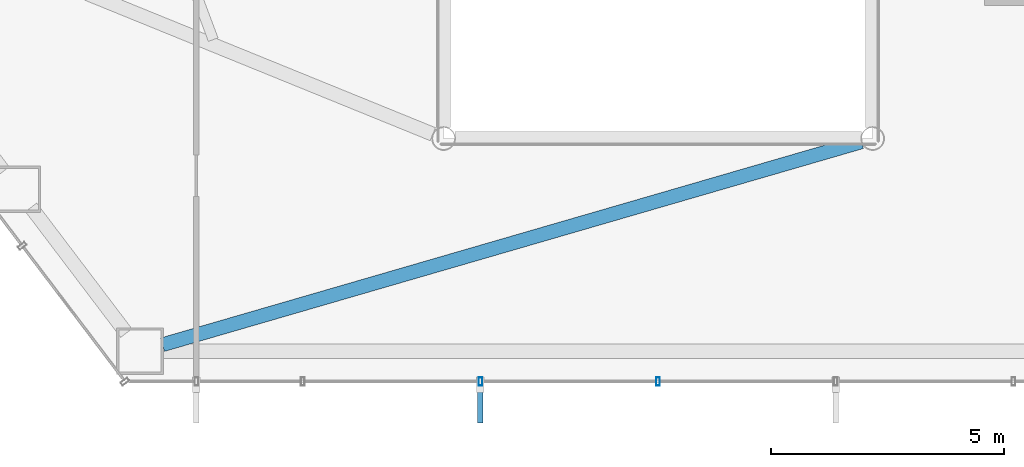
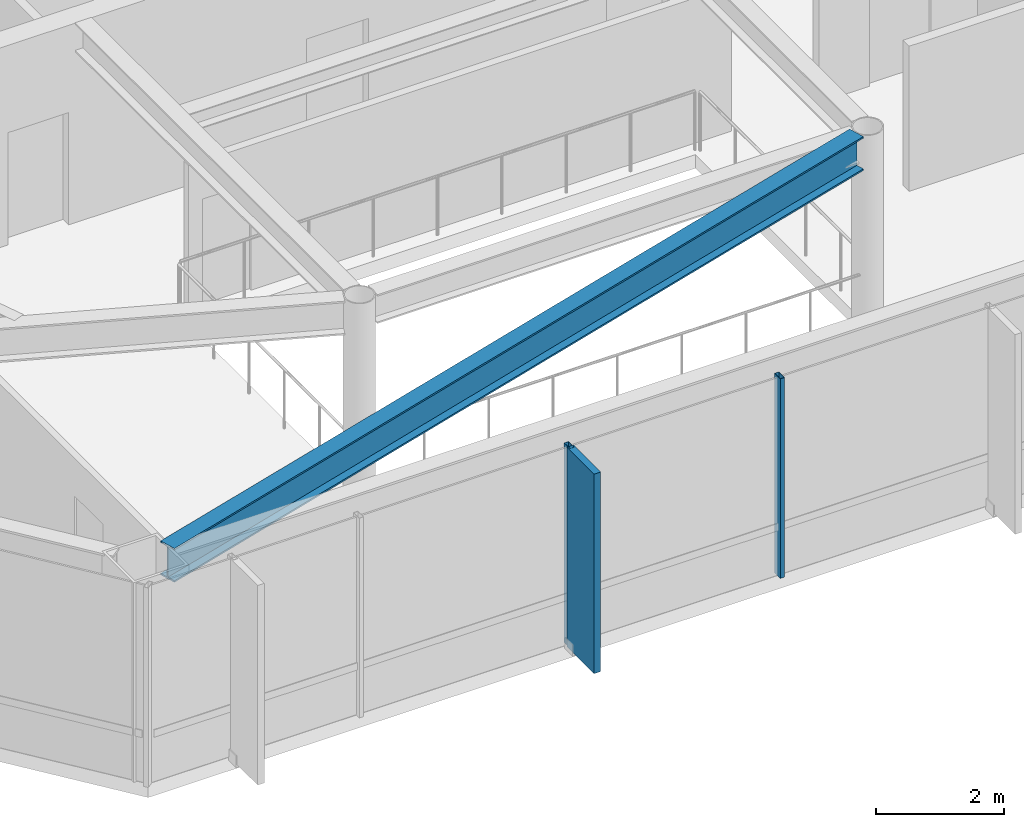
# One storey, part 5 of 26: 3 members, 1 beam, 1 element without a shape of its own.
"""IFC4 building model written with IfcOpenShell, lengths in metres."""

from ifc_helpers import new_model, si_unit, direction, frame, origin, origin_2d, place, context, subcontext, project, spatial, rectangle, hollow_rectangle, i_section, extrude, material, layer, layer_set, material_profile, profile_set, type_object, element, aggregate, save


model = new_model("IFC4")

# Units and contexts
model_context = context("Model", 3, precision=1e-05, world=origin(), true_north=direction((0.0, 1.0)))
body_context = subcontext(model_context, "Body", "Model", "MODEL_VIEW")
ifc_project = project(units=[si_unit("LENGTHUNIT", "METRE"), si_unit("AREAUNIT", "SQUARE_METRE"), si_unit("VOLUMEUNIT", "CUBIC_METRE"), si_unit("PLANEANGLEUNIT", "RADIAN"), si_unit("MASSUNIT", "GRAM", prefix="KILO")], contexts=[model_context])

# Site, building, storey
site_placement = place(None, origin())
site = spatial("IfcSite", under=ifc_project, at=site_placement, CompositionType="ELEMENT")
building_placement = place(site_placement, origin())
building = spatial("IfcBuilding", under=site, at=building_placement, Name="Zarrinselat Tower", CompositionType="ELEMENT")
storey_placement = place(building_placement, frame((0.0, 0.0, 31.6201171875)))
storey = spatial("IfcBuildingStorey", under=building, at=storey_placement, Name="L07", CompositionType="ELEMENT", Elevation=31.6201171875)

# Beam
ifc_material_1 = material(Name="Steel S355J2", Category="steel")
ifc_material_profile_1 = material_profile(ifc_material_1, i_section(OverallWidth=0.300048828125, OverallDepth=0.64990234375, WebThickness=0.01611328125, FlangeThickness=0.031005859375, at=origin_2d()), Name="HEB 650")
ifc_profile_set_1 = profile_set([ifc_material_profile_1], Name="Steel S355J2")
beam_type = type_object("IfcBeamType", Name="BM-HEB650", PredefinedType="BEAM", material=ifc_profile_set_1)
beam_placement = place(storey_placement, frame((27.773681640625, 19.980224609375, 3.494873046875), z_axis=(0.960359468461, 0.278764580494, 0.0), x_axis=(-0.278764580494, 0.960359468461, 0.0)))
element("IfcBeam", 1, at=beam_placement, inside=storey, type_object=beam_type, Name="L07 Radial Primary Girder RG10", PredefinedType="BEAM", context=body_context, shape_type="SweptSolid", body=[
    extrude(i_section(OverallWidth=0.300048828125, OverallDepth=0.64990234375, WebThickness=0.01611328125, FlangeThickness=0.031005859375, at=origin_2d()), origin(), (0.0, 0.0, 1.0), 15.60498046875),
])

# Curtain wall, members
ifc_material_2 = material(Name="Extruded Aluminium Alloy EN AW-6063 T6", Category="aluminium")
ifc_layer = layer(ifc_material_2, 0.18505859375)
ifc_layer_set = layer_set([ifc_layer], Name="Extruded Aluminium Alloy EN AW-6063 T6")
curtain_wall_type = type_object("IfcCurtainWallType", Name="CWS-OFF", PredefinedType="NOTDEFINED", material=ifc_layer_set)
curtain_wall_placement = place(storey_placement, origin())
curtain_wall = element("IfcCurtainWall", 2, at=curtain_wall_placement, inside=storey, type_object=curtain_wall_type, Name="L07 Unitised Curtain Wall CW-L07-E04", PredefinedType="NOTDEFINED")
ifc_material_3 = material(Name="Extruded Aluminium Alloy EN AW-6063 T6", Category="aluminium")
ifc_material_profile_2 = material_profile(ifc_material_3, hollow_rectangle(XDim=0.080078125, YDim=0.179931640625, WallThickness=0.0048828125, at=origin_2d()), Name="RHS 180x80x5")
ifc_profile_set_2 = profile_set([ifc_material_profile_2], Name="Extruded Aluminium Alloy EN AW-6063 T6")
member_type_1 = type_object("IfcMemberType", Name="MEM-CW-MUL", PredefinedType="MULLION", material=ifc_profile_set_2)
member_1_placement = place(storey_placement, frame((34.589599609375, 19.1904296875, 0.0), z_axis=(0.0, 0.0, 1.0), x_axis=(1.0, 0.0, 0.0)))
member_1 = element("IfcMember", 3, at=member_1_placement, type_object=member_type_1, Name="CW-L07-E04 Mullion 3", PredefinedType="MULLION", context=body_context, shape_type="SweptSolid", body=[
    extrude(hollow_rectangle(XDim=0.080078125, YDim=0.179931640625, WallThickness=0.0048828125, at=origin_2d()), origin(), (0.0, 0.0, 1.0), 3.81982421875),
])
member_2_placement = place(storey_placement, frame((38.39990234375, 19.1904296875, 0.0), z_axis=(0.0, 0.0, 1.0), x_axis=(1.0, 0.0, 0.0)))
member_2 = element("IfcMember", 4, at=member_2_placement, type_object=member_type_1, Name="CW-L07-E04 Mullion 4", PredefinedType="MULLION", context=body_context, shape_type="SweptSolid", body=[
    extrude(hollow_rectangle(XDim=0.080078125, YDim=0.179931640625, WallThickness=0.0048828125, at=origin_2d()), origin(), (0.0, 0.0, 1.0), 3.81982421875),
])
ifc_material_4 = material(Name="Honed Cream Travertine Stone", Category="masonry")
ifc_material_profile_3 = material_profile(ifc_material_4, rectangle(XDim=0.1201171875, YDim=0.85009765625, at=origin_2d()), Name="FIN 850x120")
ifc_profile_set_3 = profile_set([ifc_material_profile_3], Name="Honed Cream Travertine Stone")
member_type_2 = type_object("IfcMemberType", Name="MEM-STONE-FIN", PredefinedType="USERDEFINED", material=ifc_profile_set_3)
member_3_placement = place(storey_placement, frame((34.589599609375, 18.73046875, 0.0), z_axis=(0.0, 0.0, 1.0), x_axis=(-1.0, 0.0, 0.0)))
member_3 = element("IfcMember", 5, at=member_3_placement, type_object=member_type_2, Name="L07 Stone Shading Fin CW-L07-E04-03", ObjectType="FIN", PredefinedType="USERDEFINED", context=body_context, shape_type="SweptSolid", body=[
    extrude(rectangle(XDim=0.1201171875, YDim=0.85009765625, at=origin_2d()), origin(), (0.0, 0.0, 1.0), 3.81982421875),
])
aggregate(curtain_wall, [member_1, member_3, member_2])

save(model, "model.ifc")
